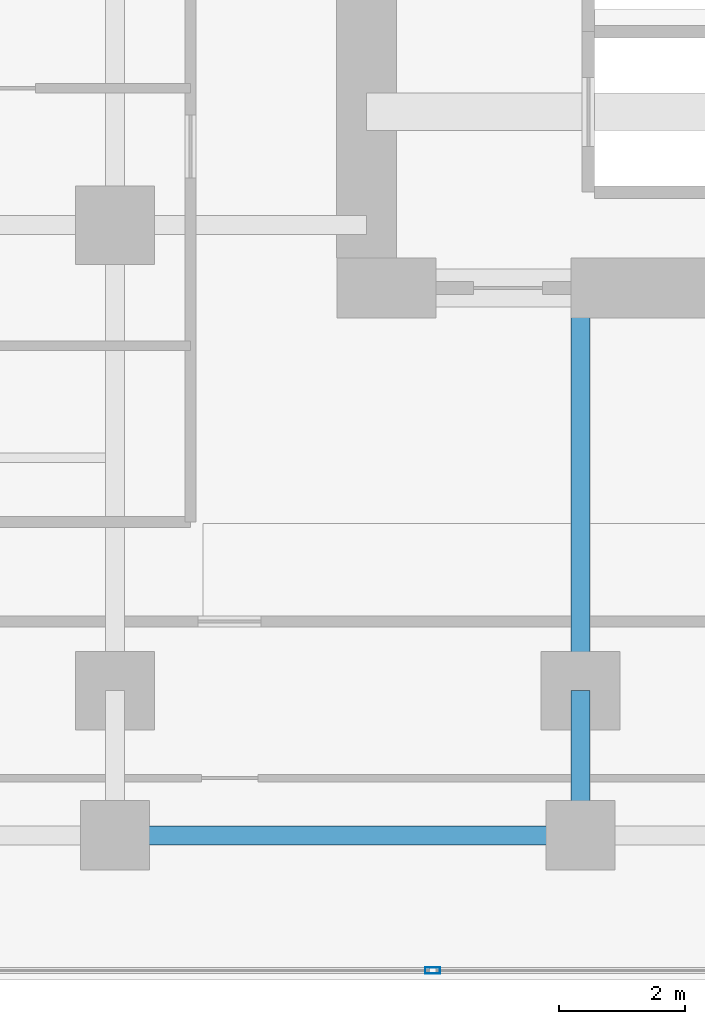
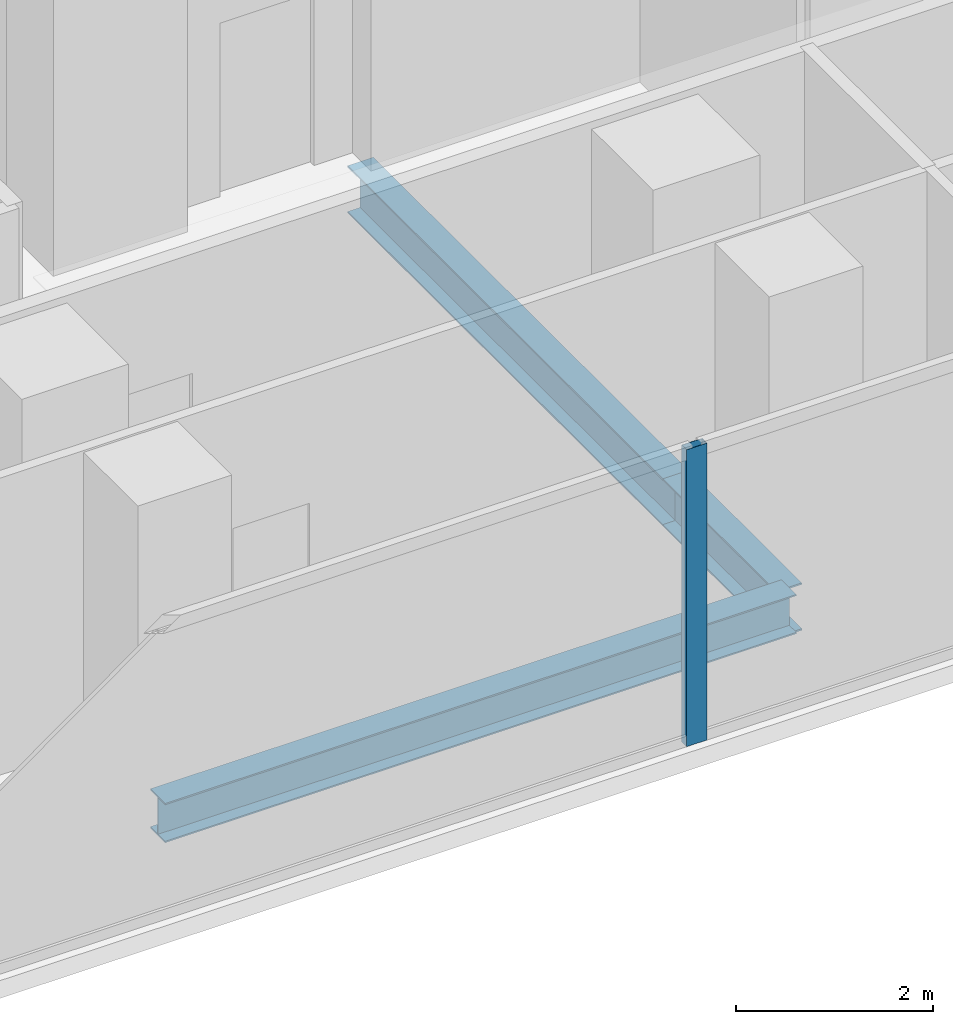
# One storey, part 4 of 27: 3 beams, 1 member, 1 element without a shape of its own.
"""IFC4 building model written with IfcOpenShell, lengths in metres."""

from ifc_helpers import new_model, si_unit, direction, frame, origin, origin_2d, place, context, subcontext, project, spatial, hollow_rectangle, i_section, extrude, material, layer, layer_set, material_profile, profile_set, type_object, element, aggregate, save


model = new_model("IFC4")

# Units and contexts
model_context = context("Model", 3, precision=1e-05, world=origin(), true_north=direction((0.0, 1.0)))
body_context = subcontext(model_context, "Body", "Model", "MODEL_VIEW")
ifc_project = project(units=[si_unit("LENGTHUNIT", "METRE"), si_unit("AREAUNIT", "SQUARE_METRE"), si_unit("VOLUMEUNIT", "CUBIC_METRE"), si_unit("PLANEANGLEUNIT", "RADIAN"), si_unit("MASSUNIT", "GRAM", prefix="KILO")], contexts=[model_context])

# Site, building, storey
site_placement = place(None, origin())
site = spatial("IfcSite", under=ifc_project, at=site_placement, CompositionType="ELEMENT")
building_placement = place(site_placement, origin())
building = spatial("IfcBuilding", under=site, at=building_placement, Name="Khorvyn Point Tower", CompositionType="ELEMENT")
storey_placement = place(building_placement, frame((0.0, 0.0, 96.89990234375)))
storey = spatial("IfcBuildingStorey", under=building, at=storey_placement, Name="L24", CompositionType="ELEMENT", Elevation=96.89990234375)

# Curtain wall, member
ifc_material_1 = material(Name="Anodised aluminium 6063-T6 and laminated Low-E glass", Category="aluminium")
ifc_layer = layer(ifc_material_1, 0.18994140625)
ifc_layer_set = layer_set([ifc_layer], Name="Stick-Built Finned Residential Curtain Wall CW-SYS-02")
curtain_wall_type = type_object("IfcCurtainWallType", Name="Stick-Built Finned Residential Curtain Wall CW-SYS-02", PredefinedType="NOTDEFINED", material=ifc_layer_set)
curtain_wall_placement = place(storey_placement, origin())
curtain_wall = element("IfcCurtainWall", 1, at=curtain_wall_placement, inside=storey, type_object=curtain_wall_type, Name="Curtain Wall", PredefinedType="NOTDEFINED")
ifc_material_2 = material(Name="Anodised aluminium 6063-T6", Category="aluminium")
ifc_material_profile_1 = material_profile(ifc_material_2, hollow_rectangle(XDim=0.10009765625, YDim=0.239990234375, WallThickness=0.0048828125, at=origin_2d()))
ifc_profile_set_1 = profile_set([ifc_material_profile_1], Name="Anodised aluminium 6063-T6 ALU-MUL-100x240")
member_type = type_object("IfcMemberType", Name="Anodised Aluminium 6063-T6 Mullion ALU-MUL-100x240", PredefinedType="MULLION", material=ifc_profile_set_1)
member_placement = place(storey_placement, frame((-9.75, -19.25, 0.0), z_axis=(0.0, 0.0, 1.0), x_axis=(0.0, -1.0, 0.0)))
member = element("IfcMember", 2, at=member_placement, type_object=member_type, Name="Transom", PredefinedType="MULLION", context=body_context, shape_type="SweptSolid", body=[
    extrude(hollow_rectangle(XDim=0.10009765625, YDim=0.239990234375, WallThickness=0.0048828125, at=origin_2d()), origin(), (0.0, 0.0, 1.0), 3.68017578125),
])
aggregate(curtain_wall, [member])

# Beams
ifc_material_3 = material(Name="Steel S355", Category="steel")
ifc_material_profile_2 = material_profile(ifc_material_3, i_section(OverallWidth=0.300048828125, OverallDepth=0.587890625, WebThickness=0.011962890625, FlangeThickness=0.02001953125, at=origin_2d()))
ifc_profile_set_2 = profile_set([ifc_material_profile_2], Name="Steel S355 H588x300x12x20")
beam_type_1 = type_object("IfcBeamType", Name="Steel S355 Beam H588x300x12x20", PredefinedType="BEAM", material=ifc_profile_set_2)
beam_1_placement = place(storey_placement, frame((-7.39990234375, -17.10009765625, -0.513916015625), z_axis=(0.0, 1.0, 0.0), x_axis=(-1.0, 0.0, 0.0)))
element("IfcBeam", 3, at=beam_1_placement, inside=storey, type_object=beam_type_1, Name="Beam", PredefinedType="BEAM", context=body_context, shape_type="SweptSolid", body=[
    extrude(i_section(OverallWidth=0.300048828125, OverallDepth=0.587890625, WebThickness=0.011962890625, FlangeThickness=0.02001953125, at=origin_2d()), origin(), (0.0, 0.0, 1.0), 2.300048828125),
])
beam_2_placement = place(storey_placement, frame((-7.39990234375, -14.800048828125, -0.513916015625), z_axis=(0.0, 1.0, 0.0), x_axis=(-1.0, 0.0, 0.0)))
element("IfcBeam", 4, at=beam_2_placement, inside=storey, type_object=beam_type_1, Name="Beam", PredefinedType="BEAM", context=body_context, shape_type="SweptSolid", body=[
    extrude(i_section(OverallWidth=0.300048828125, OverallDepth=0.587890625, WebThickness=0.011962890625, FlangeThickness=0.02001953125, at=origin_2d()), origin(), (0.0, 0.0, 1.0), 6.400146484375),
])
ifc_material_profile_3 = material_profile(ifc_material_3, i_section(OverallWidth=0.300048828125, OverallDepth=0.488037109375, WebThickness=0.010986328125, FlangeThickness=0.01806640625, at=origin_2d()))
ifc_profile_set_3 = profile_set([ifc_material_profile_3], Name="Steel S355 H488x300x11x18")
beam_type_2 = type_object("IfcBeamType", Name="Steel S355 Spandrel H488x300x11x18", PredefinedType="SPANDREL", material=ifc_profile_set_3)
beam_3_placement = place(storey_placement, frame((-14.800048828125, -17.10009765625, -0.4638671875), z_axis=(1.0, 0.0, 0.0), x_axis=(0.0, 1.0, 0.0)))
element("IfcBeam", 5, at=beam_3_placement, inside=storey, type_object=beam_type_2, Name="Beam", PredefinedType="SPANDREL", context=body_context, shape_type="SweptSolid", body=[
    extrude(i_section(OverallWidth=0.300048828125, OverallDepth=0.488037109375, WebThickness=0.010986328125, FlangeThickness=0.01806640625, at=origin_2d()), origin(), (0.0, 0.0, 1.0), 7.400146484375),
])

save(model, "model.ifc")
